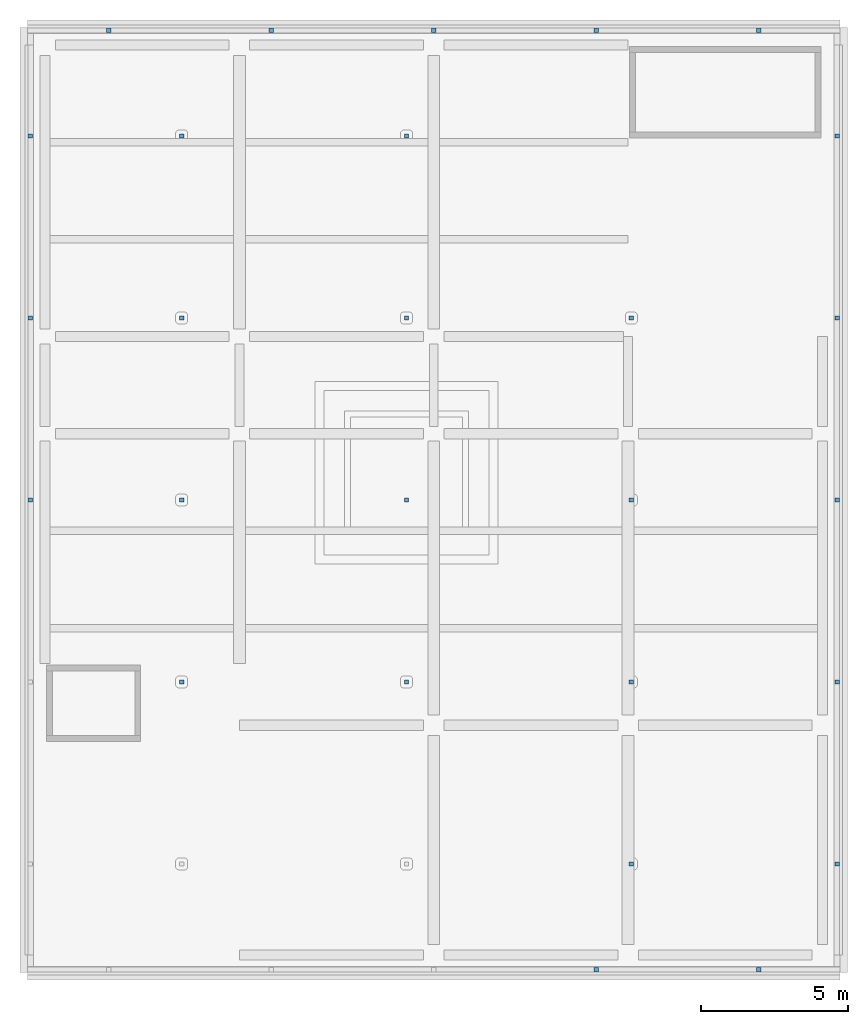
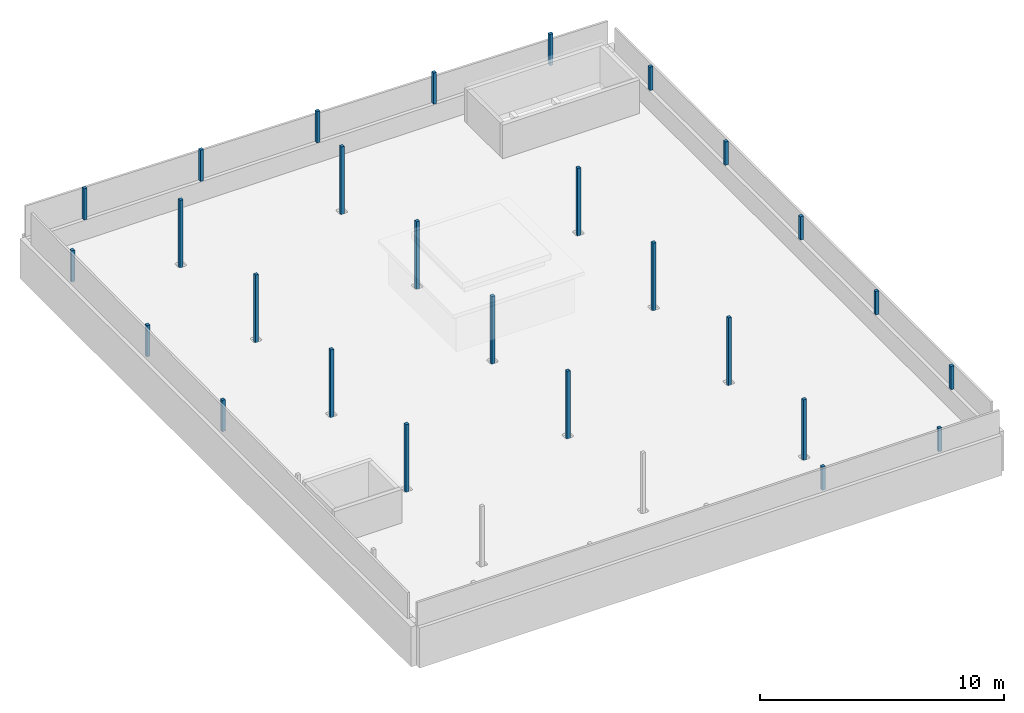
# One storey, part 2 of 4: 27 discrete accessories.
"""IFC4 building model written with IfcOpenShell, lengths in metres."""

from ifc_helpers import new_model, si_unit, direction, frame, origin, origin_2d, place, context, subcontext, project, spatial, rectangle, extrude, material, type_object, element, save


model = new_model("IFC4")

# Units and contexts
model_context = context("Model", 3, precision=1e-05, world=origin(), true_north=direction((0.0, 1.0)))
body_context = subcontext(model_context, "Body", "Model", "MODEL_VIEW")
ifc_project = project(units=[si_unit("LENGTHUNIT", "METRE"), si_unit("AREAUNIT", "SQUARE_METRE"), si_unit("VOLUMEUNIT", "CUBIC_METRE"), si_unit("PLANEANGLEUNIT", "RADIAN"), si_unit("MASSUNIT", "GRAM", prefix="KILO")], contexts=[model_context])

# Site, building, storey
site_placement = place(None, origin())
site = spatial("IfcSite", under=ifc_project, at=site_placement, CompositionType="ELEMENT")
building_placement = place(site_placement, origin())
building = spatial("IfcBuilding", under=site, at=building_placement, Name="Lantern Court Research Institute", CompositionType="ELEMENT")
storey_placement = place(building_placement, frame((0.0, 0.0, 45.89990234375)))
storey = spatial("IfcBuildingStorey", under=building, at=storey_placement, Name="RF", CompositionType="ELEMENT", Elevation=45.89990234375)

# Discrete accessories
ifc_material = material(Name="Structural steel S355", Category="steel")
discrete_accessory_type = type_object("IfcDiscreteAccessoryType", Name="Parasol roof post 150 x 150 steel", PredefinedType="BRACKET", material=ifc_material)
for number, where, z_axis, x_axis, name in (
    (1, (65.074951171875, 1.469970703125, 0.0), (0.0, 0.0, 1.0), (1.0, 0.0, 0.0), "Parasol roof post V5 2"),
    (2, (65.074951171875, 7.64990234375, 0.0), (0.0, 0.0, 1.0), (1.0, 0.0, 0.0), "Parasol roof post V5 3"),
    (3, (65.074951171875, 13.830078125, 0.0), (0.0, 0.0, 1.0), (1.0, 0.0, 0.0), "Parasol roof post V5 4"),
    (4, (65.074951171875, 20.010009765625, 0.0), (0.0, 0.0, 1.0), (1.0, 0.0, 0.0), "Parasol roof post V5 5"),
    (5, (57.4375, 1.469970703125, 0.0), (0.0, 0.0, 1.0), (1.0, 0.0, 0.0), "Parasol roof post V5 7"),
    (6, (57.4375, 7.64990234375, 0.0), (0.0, 0.0, 1.0), (1.0, 0.0, 0.0), "Parasol roof post V5 8"),
    (7, (57.4375, 13.830078125, 0.0), (0.0, 0.0, 1.0), (1.0, 0.0, 0.0), "Parasol roof post V5 9"),
    (8, (57.4375, 20.010009765625, 0.0), (0.0, 0.0, 1.0), (1.0, 0.0, 0.0), "Parasol roof post V5 10"),
):
    element("IfcDiscreteAccessory", number, at=place(storey_placement, frame(where, z_axis=z_axis, x_axis=x_axis)), inside=storey, type_object=discrete_accessory_type, Name=name, PredefinedType="BRACKET", context=body_context, shape_type="SweptSolid", body=[
        extrude(rectangle(XDim=0.14990234375, YDim=0.14990234375, at=origin_2d()), origin(), (0.0, 0.0, 1.0), 3.3935546875),
    ])
discrete_accessory_placement = place(storey_placement, frame((72.71240234375, -4.7099609375, 0.0), z_axis=(0.0, 0.0, 1.0), x_axis=(1.0, 0.0, 0.0)))
element("IfcDiscreteAccessory", 9, at=discrete_accessory_placement, inside=storey, type_object=discrete_accessory_type, Name="Parasol roof post V5 11", PredefinedType="BRACKET", context=body_context, shape_type="SweptSolid", body=[
    extrude(rectangle(XDim=0.14990234375, YDim=0.14990234375, at=origin_2d()), origin(), (0.0, 0.0, 1.0), 3.035400390625),
])
for number, where, z_axis, x_axis, name in (
    (10, (72.71240234375, 1.469970703125, 0.0), (0.0, 0.0, 1.0), (1.0, 0.0, 0.0), "Parasol roof post V5 12"),
    (11, (72.71240234375, 7.64990234375, 0.0), (0.0, 0.0, 1.0), (1.0, 0.0, 0.0), "Parasol roof post V5 13"),
    (12, (72.71240234375, 13.830078125, 0.0), (0.0, 0.0, 1.0), (1.0, 0.0, 0.0), "Parasol roof post V5 14"),
):
    element("IfcDiscreteAccessory", number, at=place(storey_placement, frame(where, z_axis=z_axis, x_axis=x_axis)), inside=storey, type_object=discrete_accessory_type, Name=name, PredefinedType="BRACKET", context=body_context, shape_type="SweptSolid", body=[
        extrude(rectangle(XDim=0.14990234375, YDim=0.14990234375, at=origin_2d()), origin(), (0.0, 0.0, 1.0), 3.3935546875),
    ])
for number, where, z_axis, x_axis, name in (
    (13, (71.52001953125, -8.300048828125, 1.10009765625), (0.0, 0.0, 1.0), (1.0, 0.0, 0.0), "Parasol roof post V5 18"),
    (14, (77.0400390625, -8.300048828125, 1.10009765625), (0.0, 0.0, 1.0), (1.0, 0.0, 0.0), "Parasol roof post V5 19"),
    (15, (79.699951171875, -4.7099609375, 1.10009765625), (0.0, 0.0, 1.0), (1.0, 0.0, 0.0), "Parasol roof post V5 20"),
    (16, (79.699951171875, 1.469970703125, 1.10009765625), (0.0, 0.0, 1.0), (1.0, 0.0, 0.0), "Parasol roof post V5 21"),
    (17, (79.699951171875, 7.64990234375, 1.10009765625), (0.0, 0.0, 1.0), (1.0, 0.0, 0.0), "Parasol roof post V5 22"),
    (18, (79.699951171875, 13.830078125, 1.10009765625), (0.0, 0.0, 1.0), (1.0, 0.0, 0.0), "Parasol roof post V5 23"),
    (19, (79.699951171875, 20.010009765625, 1.10009765625), (0.0, 0.0, 1.0), (1.0, 0.0, 0.0), "Parasol roof post V5 24"),
):
    element("IfcDiscreteAccessory", number, at=place(storey_placement, frame(where, z_axis=z_axis, x_axis=x_axis)), inside=storey, type_object=discrete_accessory_type, Name=name, PredefinedType="BRACKET", context=body_context, shape_type="SweptSolid", body=[
        extrude(rectangle(XDim=0.14990234375, YDim=0.14990234375, at=origin_2d()), origin(), (0.0, 0.0, 1.0), 1.17236328125),
    ])
for number, where, z_axis, x_axis, name in (
    (20, (77.0400390625, 23.60009765625, 1.10009765625), (0.0, 0.0, 1.0), (1.0, 0.0, 0.0), "Parasol roof post V5 25"),
    (21, (71.52001953125, 23.60009765625, 1.10009765625), (0.0, 0.0, 1.0), (1.0, 0.0, 0.0), "Parasol roof post V5 26"),
    (22, (66.0, 23.60009765625, 1.10009765625), (0.0, 0.0, 1.0), (1.0, 0.0, 0.0), "Parasol roof post V5 27"),
    (23, (60.47998046875, 23.60009765625, 1.10009765625), (0.0, 0.0, 1.0), (1.0, 0.0, 0.0), "Parasol roof post V5 28"),
    (24, (54.9599609375, 23.60009765625, 1.10009765625), (0.0, 0.0, 1.0), (1.0, 0.0, 0.0), "Parasol roof post V5 29"),
    (25, (52.300048828125, 20.010009765625, 1.10009765625), (0.0, 0.0, 1.0), (1.0, 0.0, 0.0), "Parasol roof post V5 30"),
    (26, (52.300048828125, 13.830078125, 1.10009765625), (0.0, 0.0, 1.0), (1.0, 0.0, 0.0), "Parasol roof post V5 31"),
    (27, (52.300048828125, 7.64990234375, 1.10009765625), (0.0, 0.0, 1.0), (1.0, 0.0, 0.0), "Parasol roof post V5 32"),
):
    element("IfcDiscreteAccessory", number, at=place(storey_placement, frame(where, z_axis=z_axis, x_axis=x_axis)), inside=storey, type_object=discrete_accessory_type, Name=name, PredefinedType="BRACKET", context=body_context, shape_type="SweptSolid", body=[
        extrude(rectangle(XDim=0.14990234375, YDim=0.14990234375, at=origin_2d()), origin(), (0.0, 0.0, 1.0), 1.5654296875),
    ])

save(model, "model.ifc")
